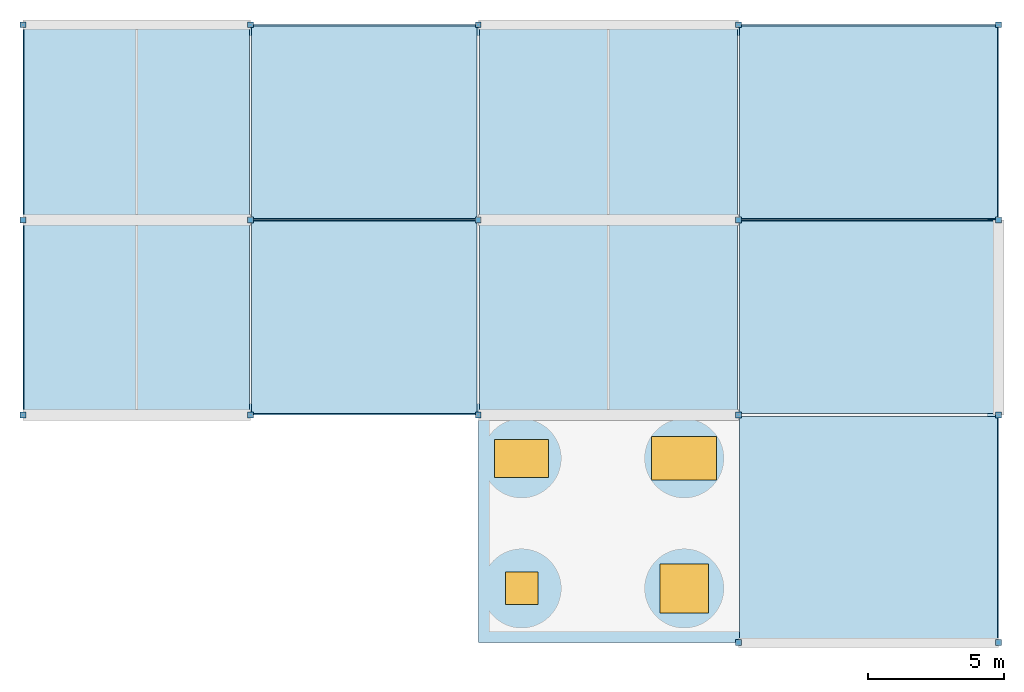
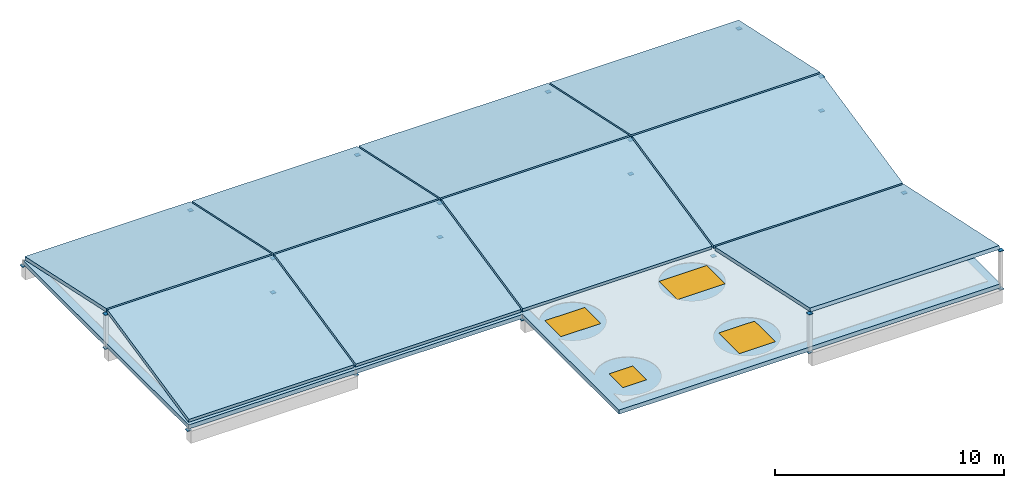
# One storey, part 10 of 11: 24 discrete accessories, 10 slabs, 4 windows, 4 openings.
"""IFC4 building model written with IfcOpenShell, lengths in metres."""

from ifc_helpers import new_model, si_unit, direction, frame, origin, origin_2d, place, context, subcontext, project, spatial, polyline, rectangle, outline, extrude, material, layer, layer_set, type_object, element, fill, save


model = new_model("IFC4")

# Units and contexts
model_context = context("Model", 3, precision=1e-05, world=origin(), true_north=direction((0.0, 1.0)))
body_context = subcontext(model_context, "Body", "Model", "MODEL_VIEW")
ifc_project = project(units=[si_unit("LENGTHUNIT", "METRE"), si_unit("AREAUNIT", "SQUARE_METRE"), si_unit("VOLUMEUNIT", "CUBIC_METRE"), si_unit("PLANEANGLEUNIT", "RADIAN"), si_unit("MASSUNIT", "GRAM", prefix="KILO")], contexts=[model_context])

# Site, building, storey
site_placement = place(None, origin())
site = spatial("IfcSite", under=ifc_project, at=site_placement, CompositionType="ELEMENT")
building_placement = place(site_placement, origin())
building = spatial("IfcBuilding", under=site, at=building_placement, Name="Kisaragi Civic Commons", CompositionType="ELEMENT")
storey_placement = place(building_placement, frame((0.0, 0.0, 21.60009765625)))
storey = spatial("IfcBuildingStorey", under=building, at=storey_placement, Name="RF", CompositionType="ELEMENT", Elevation=21.60009765625)

# Slab, openings, windows
ifc_material_1 = material(Name="Concrete Fc30", Category="concrete")
ifc_layer_1 = layer(ifc_material_1, 0.219970703125, Name="Concrete Fc30", Category="concrete")
ifc_layer_set_1 = layer_set([ifc_layer_1], Name="Concrete Fc30")
slab_type_1 = type_object("IfcSlabType", Name="SL-RF1", PredefinedType="ROOF", material=ifc_layer_set_1)
slab_1_placement = place(storey_placement, frame((0.0, 0.0, -0.22021484375)))
slab_1 = element("IfcSlab", 1, at=slab_1_placement, inside=storey, type_object=slab_type_1, Name="Learning Wing RF main flat roof slab", PredefinedType="ROOF", context=body_context, shape_type="SweptSolid", body=[
    extrude(outline(polyline([(97.199951171875, 104.39990234375), (114.0, 104.39990234375), (114.0, 96.0), (133.199951171875, 96.0), (133.199951171875, 118.800048828125), (97.199951171875, 118.800048828125), (97.199951171875, 104.39990234375)])), origin(), (0.0, 0.0, 1.0), 0.22021484375),
])
opening_1_placement = place(slab_1_placement, frame((115.60009765625, 98.0, -0.010009765625)))
opening_1 = element("IfcOpeningElement", 2, at=opening_1_placement, cuts=slab_1, Name="Opening SK-03", PredefinedType="OPENING", context=body_context, shape_type="SweptSolid", body=[
    extrude(rectangle(XDim=1.199951171875, YDim=1.199951171875, at=origin_2d()), origin(), (0.0, 0.0, 1.0), 0.240234375),
])
opening_2_placement = place(slab_1_placement, frame((121.60009765625, 98.0, -0.010009765625)))
opening_2 = element("IfcOpeningElement", 3, at=opening_2_placement, cuts=slab_1, Name="Opening SK-01", PredefinedType="OPENING", context=body_context, shape_type="SweptSolid", body=[
    extrude(rectangle(XDim=1.800048828125, YDim=1.800048828125, at=origin_2d()), origin(), (0.0, 0.0, 1.0), 0.240234375),
])
opening_3_placement = place(slab_1_placement, frame((115.60009765625, 102.800048828125, -0.010009765625)))
opening_3 = element("IfcOpeningElement", 4, at=opening_3_placement, cuts=slab_1, Name="Opening SK-04", PredefinedType="OPENING", context=body_context, shape_type="SweptSolid", body=[
    extrude(rectangle(XDim=2.0, YDim=1.39990234375, at=origin_2d()), origin(), (0.0, 0.0, 1.0), 0.240234375),
])
opening_4_placement = place(slab_1_placement, frame((121.60009765625, 102.800048828125, -0.010009765625)))
opening_4 = element("IfcOpeningElement", 5, at=opening_4_placement, cuts=slab_1, Name="Opening SK-02", PredefinedType="OPENING", context=body_context, shape_type="SweptSolid", body=[
    extrude(rectangle(XDim=2.39990234375, YDim=1.60009765625, at=origin_2d()), origin(), (0.0, 0.0, 1.0), 0.240234375),
])
ifc_material_2 = material(Name="Thermally broken aluminium frame and low-E argon double glazing", Category="aluminium")
window_type_1 = type_object("IfcWindowType", Name="SK-01", PartitioningType="SINGLE_PANEL", PredefinedType="SKYLIGHT", material=ifc_material_2)
window_1_placement = place(slab_1_placement, frame((121.60009765625, 98.0, 0.170166015625)))
window_1 = element("IfcWindow", 6, at=window_1_placement, inside=storey, type_object=window_type_1, Name="RF roof skylight/hatch SK-01 2", OverallHeight=1.800048828125, OverallWidth=1.800048828125, PartitioningType="SINGLE_PANEL", PredefinedType="SKYLIGHT", context=body_context, shape_type="SweptSolid", body=[
    extrude(rectangle(XDim=1.800048828125, YDim=1.800048828125, at=origin_2d()), origin(), (0.0, 0.0, 1.0), 0.050048828125),
])
fill(opening_2, window_1)
window_type_2 = type_object("IfcWindowType", Name="SK-02", PartitioningType="SINGLE_PANEL", PredefinedType="SKYLIGHT", material=ifc_material_2)
window_2_placement = place(slab_1_placement, frame((121.60009765625, 102.800048828125, 0.170166015625)))
window_2 = element("IfcWindow", 7, at=window_2_placement, inside=storey, type_object=window_type_2, Name="RF roof skylight/hatch SK-02 4", OverallHeight=1.60009765625, OverallWidth=2.39990234375, PartitioningType="SINGLE_PANEL", PredefinedType="SKYLIGHT", context=body_context, shape_type="SweptSolid", body=[
    extrude(rectangle(XDim=2.39990234375, YDim=1.60009765625, at=origin_2d()), origin(), (0.0, 0.0, 1.0), 0.050048828125),
])
fill(opening_4, window_2)
window_type_3 = type_object("IfcWindowType", Name="SK-03", PartitioningType="SINGLE_PANEL", PredefinedType="SKYLIGHT", material=ifc_material_2)
window_3_placement = place(slab_1_placement, frame((115.60009765625, 98.0, 0.170166015625)))
window_3 = element("IfcWindow", 8, at=window_3_placement, inside=storey, type_object=window_type_3, Name="RF roof skylight/hatch SK-03 1", OverallHeight=1.199951171875, OverallWidth=1.199951171875, PartitioningType="SINGLE_PANEL", PredefinedType="SKYLIGHT", context=body_context, shape_type="SweptSolid", body=[
    extrude(rectangle(XDim=1.199951171875, YDim=1.199951171875, at=origin_2d()), origin(), (0.0, 0.0, 1.0), 0.050048828125),
])
fill(opening_1, window_3)
window_type_4 = type_object("IfcWindowType", Name="SK-04", PartitioningType="SINGLE_PANEL", PredefinedType="SKYLIGHT", material=ifc_material_2)
window_4_placement = place(slab_1_placement, frame((115.60009765625, 102.800048828125, 0.170166015625)))
window_4 = element("IfcWindow", 9, at=window_4_placement, inside=storey, type_object=window_type_4, Name="RF roof skylight/hatch SK-04 3", OverallHeight=1.39990234375, OverallWidth=2.0, PartitioningType="SINGLE_PANEL", PredefinedType="SKYLIGHT", context=body_context, shape_type="SweptSolid", body=[
    extrude(rectangle(XDim=2.0, YDim=1.39990234375, at=origin_2d()), origin(), (0.0, 0.0, 1.0), 0.050048828125),
])
fill(opening_3, window_4)

# Slabs
ifc_layer_2 = layer(ifc_material_1, 0.18994140625, Name="Concrete Fc30", Category="concrete")
ifc_layer_set_2 = layer_set([ifc_layer_2], Name="Concrete Fc30")
slab_type_2 = type_object("IfcSlabType", Name="SL-RF2", PredefinedType="ROOF", material=ifc_layer_set_2)
for number, where, z_axis, x_axis, name in (
    (10, (97.239990234375, 104.449951171875, 0.25), (0.0, -0.210626253776, 0.977566663313), (1.0, 0.0, 0.0), "RF solar canopy pitched roof facet 1S"),
    (11, (97.239990234375, 111.64990234375, 1.77978515625), (0.0, 0.210626253776, 0.977566663313), (1.0, 0.0, 0.0), "RF solar canopy pitched roof facet 1N"),
    (12, (105.639892578125, 104.449951171875, 0.25), (0.0, -0.210626253776, 0.977566663313), (1.0, 0.0, 0.0), "RF solar canopy pitched roof facet 2S"),
    (13, (105.639892578125, 111.64990234375, 1.77978515625), (0.0, 0.210626253776, 0.977566663313), (1.0, 0.0, 0.0), "RF solar canopy pitched roof facet 2N"),
):
    element("IfcSlab", number, at=place(storey_placement, frame(where, z_axis=z_axis, x_axis=x_axis)), inside=storey, type_object=slab_type_2, Name=name, PredefinedType="ROOF", context=body_context, shape_type="SweptSolid", body=[
        extrude(outline(polyline([(0.0, 0.0), (8.320068359375, 0.0), (8.320068359375, 7.2630316915575674), (0.0, 7.2630316915575674), (0.0, 0.0)])), origin(), (0.0, 0.0, -1.0), 0.18994140625),
    ])
for number, where, z_axis, x_axis, name in (
    (14, (114.0400390625, 104.449951171875, 0.25), (0.0, -0.210626253776, 0.977566663313), (1.0, 0.0, 0.0), "RF solar canopy pitched roof facet 3S"),
    (15, (114.0400390625, 111.64990234375, 1.77978515625), (0.0, 0.210626253776, 0.977566663313), (1.0, 0.0, 0.0), "RF solar canopy pitched roof facet 3N"),
    (16, (123.639892578125, 104.449951171875, 0.25), (0.0, -0.210626253776, 0.977566663313), (1.0, 0.0, 0.0), "RF solar canopy pitched roof facet 4S"),
    (17, (123.639892578125, 111.64990234375, 1.77978515625), (0.0, 0.210626253776, 0.977566663313), (1.0, 0.0, 0.0), "RF solar canopy pitched roof facet 4N"),
):
    element("IfcSlab", number, at=place(storey_placement, frame(where, z_axis=z_axis, x_axis=x_axis)), inside=storey, type_object=slab_type_2, Name=name, PredefinedType="ROOF", context=body_context, shape_type="SweptSolid", body=[
        extrude(outline(polyline([(0.0, 0.0), (9.52001953125, 0.0), (9.52001953125, 7.263031691557567), (0.0, 7.263031691557567), (0.0, 0.0)])), origin(), (0.0, 0.0, -1.0), 0.18994140625),
    ])
slab_2_placement = place(storey_placement, frame((123.639892578125, 96.050048828125, 2.02001953125), z_axis=(0.0, 0.208564363435, 0.978008643267), x_axis=(1.0, 0.0, 0.0)))
element("IfcSlab", 18, at=slab_2_placement, inside=storey, type_object=slab_type_2, Name="RF solar canopy pitched roof facet 4C", PredefinedType="ROOF", context=body_context, shape_type="SweptSolid", body=[
    extrude(outline(polyline([(0.0, 0.0), (9.52001953125, 0.0), (9.52001953125, 8.486682490247038), (0.0, 8.486682490247038), (0.0, 0.0)])), origin(), (0.0, 0.0, -1.0), 0.18994140625),
])

# Discrete accessories
ifc_material_3 = material(Name="Steel SN490 (SN490B)", Category="steel")
ifc_layer_3 = layer(ifc_material_3, 0.02392578125, Name="Steel SN490 (SN490B)", Category="steel")
ifc_layer_set_3 = layer_set([ifc_layer_3], Name="Steel SN490 (SN490B)")
discrete_accessory_type = type_object("IfcDiscreteAccessoryType", Name="CN-01", PredefinedType="SHOE", material=ifc_layer_set_3)
for number, where, z_axis, x_axis, name in (
    (19, (97.199951171875, 104.39990234375, -0.261962890625), (0.0, 0.0, 1.0), (1.0, 0.0, 0.0), "Brace/strut steel end connection 24"),
    (20, (97.199951171875, 111.60009765625, -0.261962890625), (0.0, 0.0, 1.0), (1.0, 0.0, 0.0), "Brace/strut steel end connection 25"),
    (21, (97.199951171875, 111.60009765625, 1.5478515625), (0.0, 0.0, 1.0), (1.0, 0.0, 0.0), "Brace/strut steel end connection 26"),
    (22, (97.199951171875, 118.800048828125, -0.261962890625), (0.0, 0.0, 1.0), (1.0, 0.0, 0.0), "Brace/strut steel end connection 27"),
    (23, (105.60009765625, 104.39990234375, -0.261962890625), (0.0, 0.0, 1.0), (1.0, 0.0, 0.0), "Brace/strut steel end connection 28"),
    (24, (105.60009765625, 111.60009765625, -0.261962890625), (0.0, 0.0, 1.0), (1.0, 0.0, 0.0), "Brace/strut steel end connection 29"),
    (25, (105.60009765625, 111.60009765625, 1.5478515625), (0.0, 0.0, 1.0), (1.0, 0.0, 0.0), "Brace/strut steel end connection 30"),
    (26, (105.60009765625, 118.800048828125, -0.261962890625), (0.0, 0.0, 1.0), (1.0, 0.0, 0.0), "Brace/strut steel end connection 31"),
    (27, (114.0, 104.39990234375, -0.261962890625), (0.0, 0.0, 1.0), (1.0, 0.0, 0.0), "Brace/strut steel end connection 32"),
    (28, (114.0, 111.60009765625, -0.261962890625), (0.0, 0.0, 1.0), (1.0, 0.0, 0.0), "Brace/strut steel end connection 33"),
    (29, (114.0, 111.60009765625, 1.5478515625), (0.0, 0.0, 1.0), (1.0, 0.0, 0.0), "Brace/strut steel end connection 34"),
    (30, (114.0, 118.800048828125, -0.261962890625), (0.0, 0.0, 1.0), (1.0, 0.0, 0.0), "Brace/strut steel end connection 35"),
    (31, (123.60009765625, 96.0, -0.261962890625), (0.0, 0.0, 1.0), (1.0, 0.0, 0.0), "Brace/strut steel end connection 36"),
    (32, (123.60009765625, 96.0, 1.787841796875), (0.0, 0.0, 1.0), (1.0, 0.0, 0.0), "Brace/strut steel end connection 37"),
    (33, (123.60009765625, 104.39990234375, -0.261962890625), (0.0, 0.0, 1.0), (1.0, 0.0, 0.0), "Brace/strut steel end connection 38"),
    (34, (123.60009765625, 111.60009765625, -0.261962890625), (0.0, 0.0, 1.0), (1.0, 0.0, 0.0), "Brace/strut steel end connection 39"),
    (35, (123.60009765625, 111.60009765625, 1.5478515625), (0.0, 0.0, 1.0), (1.0, 0.0, 0.0), "Brace/strut steel end connection 40"),
    (36, (123.60009765625, 118.800048828125, -0.261962890625), (0.0, 0.0, 1.0), (1.0, 0.0, 0.0), "Brace/strut steel end connection 41"),
    (37, (133.199951171875, 96.0, -0.261962890625), (0.0, 0.0, 1.0), (1.0, 0.0, 0.0), "Brace/strut steel end connection 42"),
    (38, (133.199951171875, 96.0, 1.787841796875), (0.0, 0.0, 1.0), (1.0, 0.0, 0.0), "Brace/strut steel end connection 43"),
    (39, (133.199951171875, 104.39990234375, -0.261962890625), (0.0, 0.0, 1.0), (1.0, 0.0, 0.0), "Brace/strut steel end connection 44"),
    (40, (133.199951171875, 111.60009765625, -0.261962890625), (0.0, 0.0, 1.0), (1.0, 0.0, 0.0), "Brace/strut steel end connection 45"),
    (41, (133.199951171875, 111.60009765625, 1.5478515625), (0.0, 0.0, 1.0), (1.0, 0.0, 0.0), "Brace/strut steel end connection 46"),
    (42, (133.199951171875, 118.800048828125, -0.261962890625), (0.0, 0.0, 1.0), (1.0, 0.0, 0.0), "Brace/strut steel end connection 47"),
):
    element("IfcDiscreteAccessory", number, at=place(storey_placement, frame(where, z_axis=z_axis, x_axis=x_axis)), inside=storey, type_object=discrete_accessory_type, Name=name, PredefinedType="SHOE", context=body_context, shape_type="SweptSolid", body=[
        extrude(rectangle(XDim=0.219970703125, YDim=0.219970703125, at=origin_2d()), origin(), (0.0, 0.0, 1.0), 0.02392578125),
    ])

save(model, "model.ifc")
